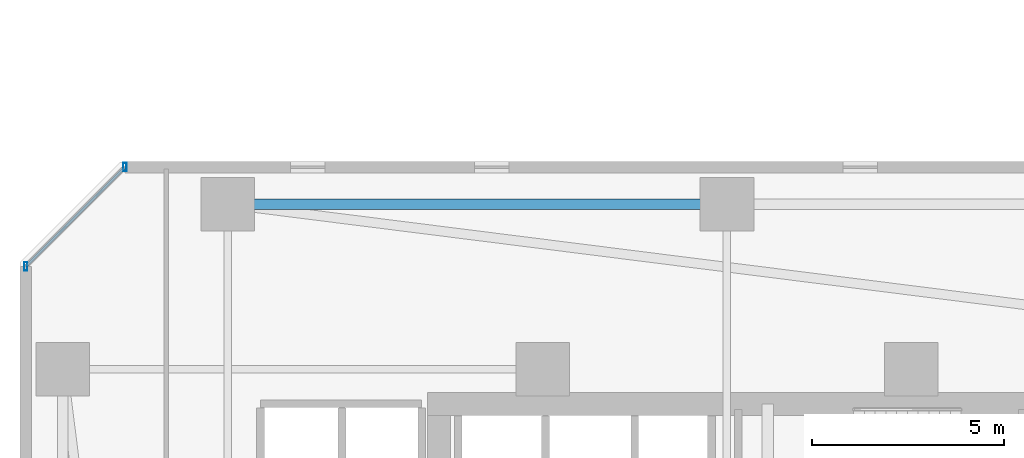
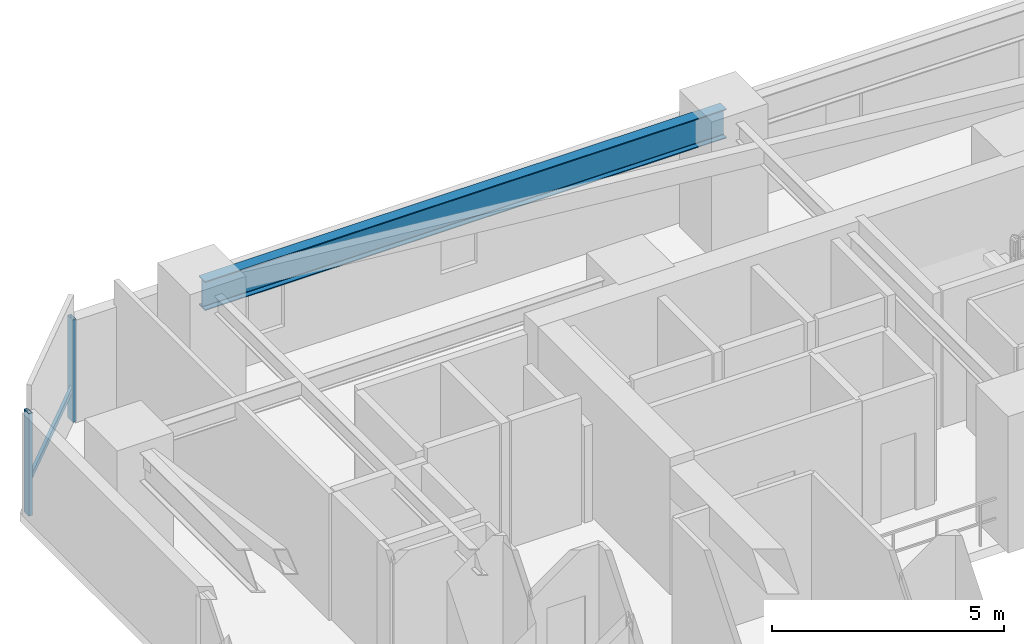
# One storey, part 8 of 34: 3 members, 1 beam, 1 element without a shape of its own.
"""IFC4 building model written with IfcOpenShell, lengths in metres."""

from ifc_helpers import new_model, si_unit, direction, frame, origin, origin_2d, place, context, subcontext, project, spatial, hollow_rectangle, i_section, extrude, material, material_profile, profile_set, type_object, element, aggregate, save


model = new_model("IFC4")

# Units and contexts
model_context = context("Model", 3, precision=1e-05, world=origin(), true_north=direction((0.0, 1.0)))
body_context = subcontext(model_context, "Body", "Model", "MODEL_VIEW")
ifc_project = project(units=[si_unit("LENGTHUNIT", "METRE"), si_unit("AREAUNIT", "SQUARE_METRE"), si_unit("VOLUMEUNIT", "CUBIC_METRE"), si_unit("PLANEANGLEUNIT", "RADIAN"), si_unit("MASSUNIT", "GRAM", prefix="KILO")], contexts=[model_context])

# Site, building, storey
site_placement = place(None, origin())
site = spatial("IfcSite", under=ifc_project, at=site_placement, CompositionType="ELEMENT")
building_placement = place(site_placement, origin())
building = spatial("IfcBuilding", under=site, at=building_placement, Name="Thornwick Lancets Civic Towers", CompositionType="ELEMENT")
storey_placement = place(building_placement, frame((0.0, 0.0, 60.89990234375)))
storey = spatial("IfcBuildingStorey", under=building, at=storey_placement, Name="L15", CompositionType="ELEMENT", Elevation=60.89990234375)

# Beam
ifc_material_1 = material(Name="Steel S355JR", Category="steel")
ifc_material_profile_1 = material_profile(ifc_material_1, i_section(OverallWidth=0.26806640625, OverallDepth=0.769775390625, WebThickness=0.015625, FlangeThickness=0.025390625, FilletRadius=0.0166015625, at=origin_2d()), Name="UKB 762x267x197")
ifc_profile_set_1 = profile_set([ifc_material_profile_1], Name="Steel S355JR")
beam_type = type_object("IfcBeamType", Name="BM_GIRD_762_197", PredefinedType="BEAM", material=ifc_profile_set_1)
beam_placement = place(storey_placement, frame((12.5, 44.300048828125, 2.97509765625), z_axis=(1.0, 0.0, 0.0), x_axis=(0.0, 1.0, 0.0)))
element("IfcBeam", 1, at=beam_placement, inside=storey, type_object=beam_type, Name="BM-SPINE-L15-A-6-7", PredefinedType="BEAM", context=body_context, shape_type="SweptSolid", body=[
    extrude(i_section(OverallWidth=0.26806640625, OverallDepth=0.769775390625, WebThickness=0.015625, FlangeThickness=0.025390625, FilletRadius=0.0166015625, at=origin_2d()), origin(), (0.0, 0.0, 1.0), 13.0),
])

# Curtain wall, members
ifc_material_2 = material(Name="Low-zone chamfered-corner unitised glass curtain wall", Category="glass")
curtain_wall_type = type_object("IfcCurtainWallType", Name="CW_SYS_03", PredefinedType="NOTDEFINED", material=ifc_material_2)
curtain_wall_placement = place(storey_placement, origin())
curtain_wall = element("IfcCurtainWall", 2, at=curtain_wall_placement, inside=storey, type_object=curtain_wall_type, Name="L15 Curtain Wall CW-L15-A-E5", PredefinedType="NOTDEFINED")
ifc_material_3 = material(Name="Thermally broken bronze aluminium S355", Category="steel")
ifc_material_profile_2 = material_profile(ifc_material_3, hollow_rectangle(XDim=0.090087890625, YDim=0.219970703125, WallThickness=0.00634765625, at=origin_2d()), Name="RHS 220x90x6.3")
ifc_profile_set_2 = profile_set([ifc_material_profile_2], Name="Thermally broken bronze aluminium S355")
member_type_1 = type_object("IfcMemberType", Name="CW_MUL_220", PredefinedType="MULLION", material=ifc_profile_set_2)
member_1_placement = place(storey_placement, frame((9.81884765625, 45.264892578125, 0.0), z_axis=(0.0, 0.0, 1.0), x_axis=(1.0, 0.0, 0.0)))
member_1 = element("IfcMember", 3, at=member_1_placement, type_object=member_type_1, Name="CW-L15-A-E5 Mullion 0", PredefinedType="MULLION", context=body_context, shape_type="SweptSolid", body=[
    extrude(hollow_rectangle(XDim=0.090087890625, YDim=0.219970703125, WallThickness=0.00634765625, at=origin_2d()), origin(), (0.0, 0.0, 1.0), 2.7001953125),
])
member_2_placement = place(storey_placement, frame((7.235107421875, 42.68115234375, 0.0), z_axis=(0.0, 0.0, 1.0), x_axis=(1.0, 0.0, 0.0)))
member_2 = element("IfcMember", 4, at=member_2_placement, type_object=member_type_1, Name="CW-L15-A-E5 Mullion 1", PredefinedType="MULLION", context=body_context, shape_type="SweptSolid", body=[
    extrude(hollow_rectangle(XDim=0.090087890625, YDim=0.219970703125, WallThickness=0.00634765625, at=origin_2d()), origin(), (0.0, 0.0, 1.0), 2.7001953125),
])
ifc_material_profile_3 = material_profile(ifc_material_3, hollow_rectangle(XDim=0.074951171875, YDim=0.14990234375, WallThickness=0.0048828125, at=origin_2d()), Name="RHS 150x75x5")
ifc_profile_set_3 = profile_set([ifc_material_profile_3], Name="Thermally broken bronze aluminium S355")
member_type_2 = type_object("IfcMemberType", Name="CW_TRN_150", PredefinedType="USERDEFINED", material=ifc_profile_set_3)
member_3_placement = place(storey_placement, frame((9.8046875, 45.250732421875, 0.85009765625), z_axis=(-0.707106781187, -0.707106781187, 0.0), x_axis=(0.707106781187, -0.707106781187, 0.0)))
member_3 = element("IfcMember", 5, at=member_3_placement, type_object=member_type_2, Name="CW-L15-A-E5 Transom 0", ObjectType="TRANSOM", PredefinedType="USERDEFINED", context=body_context, shape_type="SweptSolid", body=[
    extrude(hollow_rectangle(XDim=0.074951171875, YDim=0.14990234375, WallThickness=0.0048828125, at=origin_2d()), origin(), (0.0, 0.0, 1.0), 3.614013671875),
])
aggregate(curtain_wall, [member_1, member_2, member_3])

save(model, "model.ifc")
